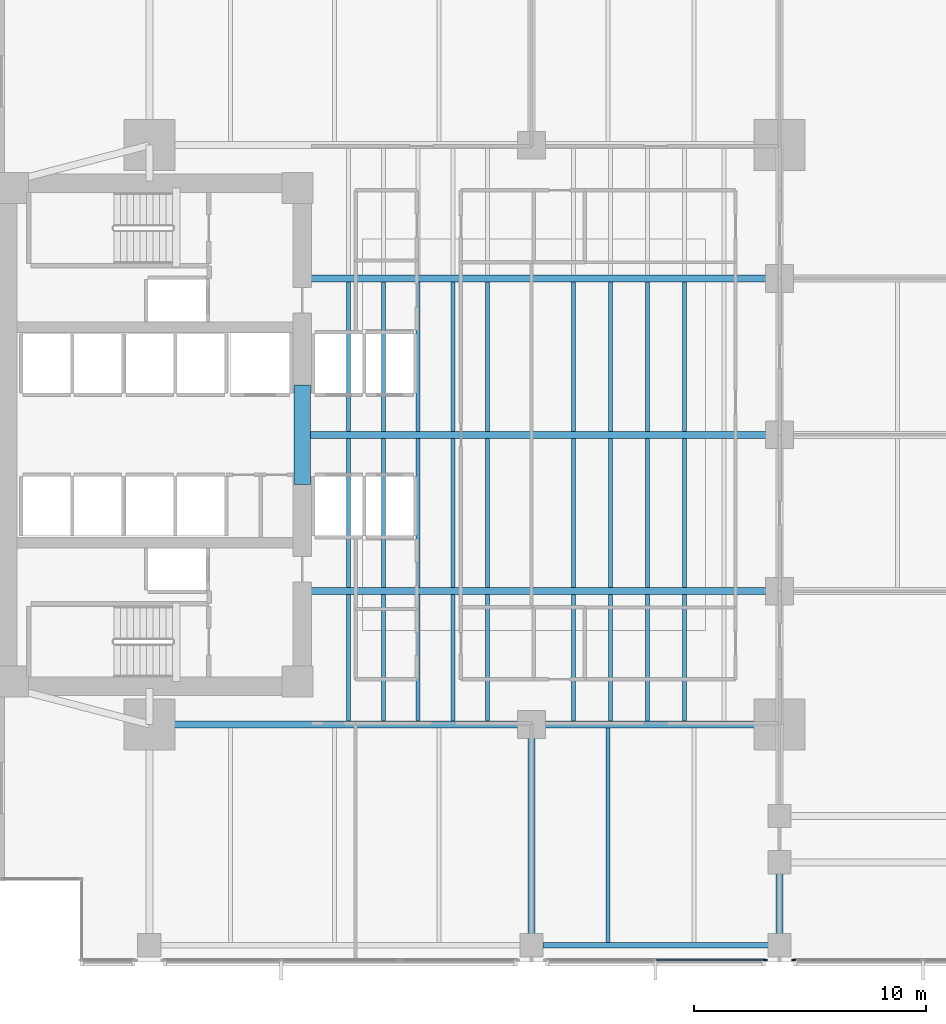
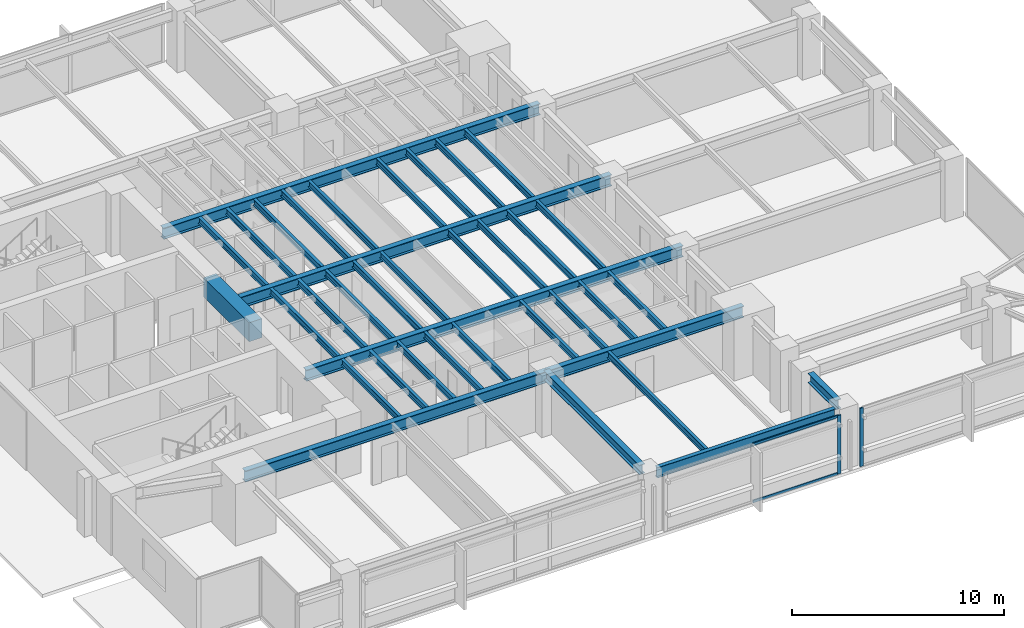
# One storey, part 3 of 16: 37 beams, 4 members, 2 elements without a shape of their own.
"""IFC4 building model written with IfcOpenShell, lengths in metres."""

from ifc_helpers import new_model, si_unit, direction, frame, origin, origin_2d, place, context, subcontext, project, spatial, rectangle, i_section, extrude, material, layer, layer_set, material_profile, profile_set, type_object, element, aggregate, save


model = new_model("IFC4")

# Units and contexts
model_context = context("Model", 3, precision=1e-05, world=origin(), true_north=direction((0.0, 1.0)))
body_context = subcontext(model_context, "Body", "Model", "MODEL_VIEW")
ifc_project = project(units=[si_unit("LENGTHUNIT", "METRE"), si_unit("AREAUNIT", "SQUARE_METRE"), si_unit("VOLUMEUNIT", "CUBIC_METRE"), si_unit("PLANEANGLEUNIT", "RADIAN"), si_unit("MASSUNIT", "GRAM", prefix="KILO")], contexts=[model_context])

# Site, building, storey
site_placement = place(None, origin())
site = spatial("IfcSite", under=ifc_project, at=site_placement, CompositionType="ELEMENT")
building_placement = place(site_placement, origin())
building = spatial("IfcBuilding", under=site, at=building_placement, Name="Kinhvarn Gate Tower", CompositionType="ELEMENT")
storey_placement = place(building_placement, frame((0.0, 0.0, 25.60009765625)))
storey = spatial("IfcBuildingStorey", under=building, at=storey_placement, Name="L05", CompositionType="ELEMENT", Elevation=25.60009765625)

# Beam
ifc_material_1 = material(Name="Concrete C70/85", Category="concrete")
ifc_material_profile_1 = material_profile(ifc_material_1, rectangle(XDim=0.699951171875, YDim=1.10009765625, at=origin_2d()), Name="RC 700x1100")
ifc_profile_set_1 = profile_set([ifc_material_profile_1], Name="Concrete C70/85")
beam_type_1 = type_object("IfcBeamType", Name="BM-CB-1100", PredefinedType="LINTEL", material=ifc_profile_set_1)
beam_1_placement = place(storey_placement, frame((17.60009765625, 23.10009765625, 2.81982421875), z_axis=(0.0, 1.0, 0.0), x_axis=(-1.0, 0.0, 0.0)))
element("IfcBeam", 1, at=beam_1_placement, inside=storey, type_object=beam_type_1, Name="Core East Portal Coupling Beam L05", PredefinedType="LINTEL", context=body_context, shape_type="SweptSolid", body=[
    extrude(rectangle(XDim=0.699951171875, YDim=1.10009765625, at=origin_2d()), origin(), (0.0, 0.0, 1.0), 4.2998046875),
])

# Curtain wall, member
ifc_material_2 = material(Name="Anodised aluminium AW-6063", Category="aluminium")
ifc_layer = layer(ifc_material_2, 0.179931640625)
ifc_layer_set = layer_set([ifc_layer], Name="Anodised aluminium AW-6063")
curtain_wall_type = type_object("IfcCurtainWallType", Name="CW-SYS-2", PredefinedType="NOTDEFINED", material=ifc_layer_set)
curtain_wall_1_placement = place(storey_placement, origin())
curtain_wall_1 = element("IfcCurtainWall", 2, at=curtain_wall_1_placement, inside=storey, type_object=curtain_wall_type, Name="Curtain Wall CW2 (L05)", PredefinedType="NOTDEFINED")
ifc_material_profile_2 = material_profile(ifc_material_2, rectangle(XDim=0.070068359375, YDim=0.179931640625, at=origin_2d()), Name="ALU 70x180")
ifc_profile_set_2 = profile_set([ifc_material_profile_2], Name="Anodised aluminium AW-6063")
member_type_1 = type_object("IfcMemberType", Name="CW-MUL-180", PredefinedType="MULLION", material=ifc_profile_set_2)
member_1_placement = place(storey_placement, frame((37.5849609375, 2.590087890625, 0.0), z_axis=(0.0, 0.0, 1.0), x_axis=(0.0, 1.0, 0.0)))
member_1 = element("IfcMember", 3, at=member_1_placement, type_object=member_type_1, Name="CW2 mullion 3", PredefinedType="MULLION", context=body_context, shape_type="SweptSolid", body=[
    extrude(rectangle(XDim=0.070068359375, YDim=0.179931640625, at=origin_2d()), origin(), (0.0, 0.0, 1.0), 3.369873046875),
])

curtain_wall_2_placement = place(storey_placement, origin())
curtain_wall_2 = element("IfcCurtainWall", 4, at=curtain_wall_2_placement, inside=storey, type_object=curtain_wall_type, Name="Curtain Wall CW2 (L05)", PredefinedType="NOTDEFINED")
member_2_placement = place(storey_placement, frame((38.81494140625, 2.590087890625, 0.0), z_axis=(0.0, 0.0, 1.0), x_axis=(0.0, 1.0, 0.0)))
member_2 = element("IfcMember", 5, at=member_2_placement, type_object=member_type_1, Name="CW2 mullion 1", PredefinedType="MULLION", context=body_context, shape_type="SweptSolid", body=[
    extrude(rectangle(XDim=0.070068359375, YDim=0.179931640625, at=origin_2d()), origin(), (0.0, 0.0, 1.0), 3.369873046875),
])
aggregate(curtain_wall_2, [member_2])

# Member
ifc_material_profile_3 = material_profile(ifc_material_2, rectangle(XDim=0.070068359375, YDim=0.139892578125, at=origin_2d()), Name="ALU 70x140")
ifc_profile_set_3 = profile_set([ifc_material_profile_3], Name="Anodised aluminium AW-6063")
member_type_2 = type_object("IfcMemberType", Name="CW-TRN-140", PredefinedType="USERDEFINED", material=ifc_profile_set_3)
member_3_placement = place(storey_placement, frame((32.885009765625, 2.590087890625, 0.034912109375), z_axis=(1.0, 0.0, 0.0), x_axis=(0.0, 1.0, 0.0)))
member_3 = element("IfcMember", 6, at=member_3_placement, type_object=member_type_2, Name="CW2 transom 2.1", ObjectType="TRANSOM", PredefinedType="USERDEFINED", context=body_context, shape_type="SweptSolid", body=[
    extrude(rectangle(XDim=0.070068359375, YDim=0.139892578125, at=origin_2d()), origin(), (0.0, 0.0, 1.0), 4.6650390625),
])

member_4_placement = place(storey_placement, frame((32.885009765625, 2.590087890625, 3.3349609375), z_axis=(1.0, 0.0, 0.0), x_axis=(0.0, 1.0, 0.0)))
member_4 = element("IfcMember", 7, at=member_4_placement, type_object=member_type_2, Name="CW2 transom 2.2", ObjectType="TRANSOM", PredefinedType="USERDEFINED", context=body_context, shape_type="SweptSolid", body=[
    extrude(rectangle(XDim=0.070068359375, YDim=0.139892578125, at=origin_2d()), origin(), (0.0, 0.0, 1.0), 4.6650390625),
])

aggregate(curtain_wall_1, [member_1, member_3, member_4])

# Beams
ifc_material_3 = material(Name="Steel S355", Category="steel")
ifc_material_profile_4 = material_profile(ifc_material_3, i_section(OverallWidth=0.300048828125, OverallDepth=0.550048828125, WebThickness=0.014892578125, FlangeThickness=0.029052734375, at=origin_2d()), Name="HEB 550")
ifc_profile_set_4 = profile_set([ifc_material_profile_4], Name="Steel S355")
beam_type_2 = type_object("IfcBeamType", Name="STL-HEB550", PredefinedType="BEAM", material=ifc_profile_set_4)
beam_2_placement = place(storey_placement, frame((27.5, 3.705078125, 3.094970703125), z_axis=(0.0, 1.0, 0.0), x_axis=(-1.0, 0.0, 0.0)))
element("IfcBeam", 8, at=beam_2_placement, inside=storey, type_object=beam_type_2, Name="Floor Beam PG-15 (L05 SP27-S-TIE)", PredefinedType="BEAM", context=body_context, shape_type="SweptSolid", body=[
    extrude(i_section(OverallWidth=0.300048828125, OverallDepth=0.550048828125, WebThickness=0.014892578125, FlangeThickness=0.029052734375, at=origin_2d()), origin(), (0.0, 0.0, 1.0), 9.044921875),
])
beam_3_placement = place(storey_placement, frame((38.199951171875, 3.705078125, 3.094970703125), z_axis=(0.0, 1.0, 0.0), x_axis=(-1.0, 0.0, 0.0)))
element("IfcBeam", 9, at=beam_3_placement, inside=storey, type_object=beam_type_2, Name="Floor Beam PG-15 (L05 MCE-S-A0)", PredefinedType="BEAM", context=body_context, shape_type="SweptSolid", body=[
    extrude(i_section(OverallWidth=0.300048828125, OverallDepth=0.550048828125, WebThickness=0.014892578125, FlangeThickness=0.029052734375, at=origin_2d()), origin(), (0.0, 0.0, 1.0), 2.60986328125),
])
ifc_material_profile_5 = material_profile(ifc_material_3, i_section(OverallWidth=0.300048828125, OverallDepth=0.64990234375, WebThickness=0.01611328125, FlangeThickness=0.031005859375, at=origin_2d()), Name="HEB 650")
ifc_profile_set_5 = profile_set([ifc_material_profile_5], Name="Steel S355")
beam_type_3 = type_object("IfcBeamType", Name="STL-HEB650", PredefinedType="BEAM", material=ifc_profile_set_5)
beam_4_placement = place(storey_placement, frame((11.0, 12.75, 3.044921875), z_axis=(1.0, 0.0, 0.0), x_axis=(0.0, 1.0, 0.0)))
element("IfcBeam", 10, at=beam_4_placement, inside=storey, type_object=beam_type_3, Name="Floor Beam PG-17 (L05 MG-S1)", PredefinedType="BEAM", context=body_context, shape_type="SweptSolid", body=[
    extrude(i_section(OverallWidth=0.300048828125, OverallDepth=0.64990234375, WebThickness=0.01611328125, FlangeThickness=0.031005859375, at=origin_2d()), origin(), (0.0, 0.0, 1.0), 16.5),
])
beam_5_placement = place(storey_placement, frame((27.5, 12.75, 3.044921875), z_axis=(1.0, 0.0, 0.0), x_axis=(0.0, 1.0, 0.0)))
element("IfcBeam", 11, at=beam_5_placement, inside=storey, type_object=beam_type_3, Name="Floor Beam PG-17 (L05 MG-S2)", PredefinedType="BEAM", context=body_context, shape_type="SweptSolid", body=[
    extrude(i_section(OverallWidth=0.300048828125, OverallDepth=0.64990234375, WebThickness=0.01611328125, FlangeThickness=0.031005859375, at=origin_2d()), origin(), (0.0, 0.0, 1.0), 10.699951171875),
])
beam_6_placement = place(storey_placement, frame((17.64990234375, 18.5, 3.044921875), z_axis=(1.0, 0.0, 0.0), x_axis=(0.0, 1.0, 0.0)))
element("IfcBeam", 12, at=beam_6_placement, inside=storey, type_object=beam_type_3, Name="Floor Beam PG-17 (L05 EW1-Y18)", PredefinedType="BEAM", context=body_context, shape_type="SweptSolid", body=[
    extrude(i_section(OverallWidth=0.300048828125, OverallDepth=0.64990234375, WebThickness=0.01611328125, FlangeThickness=0.031005859375, at=origin_2d()), origin(), (0.0, 0.0, 1.0), 20.550048828125),
])
beam_7_placement = place(storey_placement, frame((17.949951171875, 25.25, 3.044921875), z_axis=(1.0, 0.0, 0.0), x_axis=(0.0, 1.0, 0.0)))
element("IfcBeam", 13, at=beam_7_placement, inside=storey, type_object=beam_type_3, Name="Floor Beam PG-17 (L05 EW1-Y25)", PredefinedType="BEAM", context=body_context, shape_type="SweptSolid", body=[
    extrude(i_section(OverallWidth=0.300048828125, OverallDepth=0.64990234375, WebThickness=0.01611328125, FlangeThickness=0.031005859375, at=origin_2d()), origin(), (0.0, 0.0, 1.0), 20.25),
])
beam_8_placement = place(storey_placement, frame((17.64990234375, 32.0, 3.044921875), z_axis=(1.0, 0.0, 0.0), x_axis=(0.0, 1.0, 0.0)))
element("IfcBeam", 14, at=beam_8_placement, inside=storey, type_object=beam_type_3, Name="Floor Beam PG-17 (L05 EW1-Y32)", PredefinedType="BEAM", context=body_context, shape_type="SweptSolid", body=[
    extrude(i_section(OverallWidth=0.300048828125, OverallDepth=0.64990234375, WebThickness=0.01611328125, FlangeThickness=0.031005859375, at=origin_2d()), origin(), (0.0, 0.0, 1.0), 20.550048828125),
])
ifc_material_profile_6 = material_profile(ifc_material_3, i_section(OverallWidth=0.169921875, OverallDepth=0.360107421875, WebThickness=0.008056640625, FlangeThickness=0.0126953125, at=origin_2d()), Name="IPE 360")
ifc_profile_set_6 = profile_set([ifc_material_profile_6], Name="Steel S355")
beam_type_4 = type_object("IfcBeamType", Name="STL-IPE360", PredefinedType="JOIST", material=ifc_profile_set_6)
beam_9_placement = place(storey_placement, frame((19.60009765625, 12.89990234375, 3.18994140625), z_axis=(0.0, 1.0, 0.0), x_axis=(-1.0, 0.0, 0.0)))
element("IfcBeam", 15, at=beam_9_placement, inside=storey, type_object=beam_type_4, Name="Floor Joist SB-04 (L05 JC-X196-0)", PredefinedType="JOIST", context=body_context, shape_type="SweptSolid", body=[
    extrude(i_section(OverallWidth=0.169921875, OverallDepth=0.360107421875, WebThickness=0.008056640625, FlangeThickness=0.0126953125, at=origin_2d()), origin(), (0.0, 0.0, 1.0), 5.4501953125),
])
for number, where, z_axis, x_axis, name in (
    (16, (19.60009765625, 18.64990234375, 3.18994140625), (0.0, 1.0, 0.0), (-1.0, 0.0, 0.0), "Floor Joist SB-04 (L05 JC-X196-1)"),
    (17, (19.60009765625, 25.39990234375, 3.18994140625), (0.0, 1.0, 0.0), (-1.0, 0.0, 0.0), "Floor Joist SB-04 (L05 JC-X196-2)"),
):
    element("IfcBeam", number, at=place(storey_placement, frame(where, z_axis=z_axis, x_axis=x_axis)), inside=storey, type_object=beam_type_4, Name=name, PredefinedType="JOIST", context=body_context, shape_type="SweptSolid", body=[
        extrude(i_section(OverallWidth=0.169921875, OverallDepth=0.360107421875, WebThickness=0.008056640625, FlangeThickness=0.0126953125, at=origin_2d()), origin(), (0.0, 0.0, 1.0), 6.4501953125),
    ])
beam_10_placement = place(storey_placement, frame((21.10009765625, 12.89990234375, 3.18994140625), z_axis=(0.0, 1.0, 0.0), x_axis=(-1.0, 0.0, 0.0)))
element("IfcBeam", 18, at=beam_10_placement, inside=storey, type_object=beam_type_4, Name="Floor Joist SB-04 (L05 JC-X211-0)", PredefinedType="JOIST", context=body_context, shape_type="SweptSolid", body=[
    extrude(i_section(OverallWidth=0.169921875, OverallDepth=0.360107421875, WebThickness=0.008056640625, FlangeThickness=0.0126953125, at=origin_2d()), origin(), (0.0, 0.0, 1.0), 5.4501953125),
])
for number, where, z_axis, x_axis, name in (
    (19, (21.10009765625, 18.64990234375, 3.18994140625), (0.0, 1.0, 0.0), (-1.0, 0.0, 0.0), "Floor Joist SB-04 (L05 JC-X211-1)"),
    (20, (21.10009765625, 25.39990234375, 3.18994140625), (0.0, 1.0, 0.0), (-1.0, 0.0, 0.0), "Floor Joist SB-04 (L05 JC-X211-2)"),
):
    element("IfcBeam", number, at=place(storey_placement, frame(where, z_axis=z_axis, x_axis=x_axis)), inside=storey, type_object=beam_type_4, Name=name, PredefinedType="JOIST", context=body_context, shape_type="SweptSolid", body=[
        extrude(i_section(OverallWidth=0.169921875, OverallDepth=0.360107421875, WebThickness=0.008056640625, FlangeThickness=0.0126953125, at=origin_2d()), origin(), (0.0, 0.0, 1.0), 6.4501953125),
    ])
beam_11_placement = place(storey_placement, frame((22.60009765625, 12.89990234375, 3.18994140625), z_axis=(0.0, 1.0, 0.0), x_axis=(-1.0, 0.0, 0.0)))
element("IfcBeam", 21, at=beam_11_placement, inside=storey, type_object=beam_type_4, Name="Floor Joist SB-04 (L05 JC-X226-0)", PredefinedType="JOIST", context=body_context, shape_type="SweptSolid", body=[
    extrude(i_section(OverallWidth=0.169921875, OverallDepth=0.360107421875, WebThickness=0.008056640625, FlangeThickness=0.0126953125, at=origin_2d()), origin(), (0.0, 0.0, 1.0), 5.4501953125),
])
for number, where, z_axis, x_axis, name in (
    (22, (22.60009765625, 18.64990234375, 3.18994140625), (0.0, 1.0, 0.0), (-1.0, 0.0, 0.0), "Floor Joist SB-04 (L05 JC-X226-1)"),
    (23, (22.60009765625, 25.39990234375, 3.18994140625), (0.0, 1.0, 0.0), (-1.0, 0.0, 0.0), "Floor Joist SB-04 (L05 JC-X226-2)"),
):
    element("IfcBeam", number, at=place(storey_placement, frame(where, z_axis=z_axis, x_axis=x_axis)), inside=storey, type_object=beam_type_4, Name=name, PredefinedType="JOIST", context=body_context, shape_type="SweptSolid", body=[
        extrude(i_section(OverallWidth=0.169921875, OverallDepth=0.360107421875, WebThickness=0.008056640625, FlangeThickness=0.0126953125, at=origin_2d()), origin(), (0.0, 0.0, 1.0), 6.4501953125),
    ])
beam_12_placement = place(storey_placement, frame((24.10009765625, 12.89990234375, 3.18994140625), z_axis=(0.0, 1.0, 0.0), x_axis=(-1.0, 0.0, 0.0)))
element("IfcBeam", 24, at=beam_12_placement, inside=storey, type_object=beam_type_4, Name="Floor Joist SB-04 (L05 JC-X241-0)", PredefinedType="JOIST", context=body_context, shape_type="SweptSolid", body=[
    extrude(i_section(OverallWidth=0.169921875, OverallDepth=0.360107421875, WebThickness=0.008056640625, FlangeThickness=0.0126953125, at=origin_2d()), origin(), (0.0, 0.0, 1.0), 5.4501953125),
])
for number, where, z_axis, x_axis, name in (
    (25, (24.10009765625, 18.64990234375, 3.18994140625), (0.0, 1.0, 0.0), (-1.0, 0.0, 0.0), "Floor Joist SB-04 (L05 JC-X241-1)"),
    (26, (24.10009765625, 25.39990234375, 3.18994140625), (0.0, 1.0, 0.0), (-1.0, 0.0, 0.0), "Floor Joist SB-04 (L05 JC-X241-2)"),
):
    element("IfcBeam", number, at=place(storey_placement, frame(where, z_axis=z_axis, x_axis=x_axis)), inside=storey, type_object=beam_type_4, Name=name, PredefinedType="JOIST", context=body_context, shape_type="SweptSolid", body=[
        extrude(i_section(OverallWidth=0.169921875, OverallDepth=0.360107421875, WebThickness=0.008056640625, FlangeThickness=0.0126953125, at=origin_2d()), origin(), (0.0, 0.0, 1.0), 6.4501953125),
    ])
beam_13_placement = place(storey_placement, frame((25.60009765625, 12.89990234375, 3.18994140625), z_axis=(0.0, 1.0, 0.0), x_axis=(-1.0, 0.0, 0.0)))
element("IfcBeam", 27, at=beam_13_placement, inside=storey, type_object=beam_type_4, Name="Floor Joist SB-04 (L05 JC-X256-0)", PredefinedType="JOIST", context=body_context, shape_type="SweptSolid", body=[
    extrude(i_section(OverallWidth=0.169921875, OverallDepth=0.360107421875, WebThickness=0.008056640625, FlangeThickness=0.0126953125, at=origin_2d()), origin(), (0.0, 0.0, 1.0), 5.4501953125),
])
for number, where, z_axis, x_axis, name in (
    (28, (25.60009765625, 18.64990234375, 3.18994140625), (0.0, 1.0, 0.0), (-1.0, 0.0, 0.0), "Floor Joist SB-04 (L05 JC-X256-1)"),
    (29, (25.60009765625, 25.39990234375, 3.18994140625), (0.0, 1.0, 0.0), (-1.0, 0.0, 0.0), "Floor Joist SB-04 (L05 JC-X256-2)"),
):
    element("IfcBeam", number, at=place(storey_placement, frame(where, z_axis=z_axis, x_axis=x_axis)), inside=storey, type_object=beam_type_4, Name=name, PredefinedType="JOIST", context=body_context, shape_type="SweptSolid", body=[
        extrude(i_section(OverallWidth=0.169921875, OverallDepth=0.360107421875, WebThickness=0.008056640625, FlangeThickness=0.0126953125, at=origin_2d()), origin(), (0.0, 0.0, 1.0), 6.4501953125),
    ])
beam_14_placement = place(storey_placement, frame((29.300048828125, 12.89990234375, 3.18994140625), z_axis=(0.0, 1.0, 0.0), x_axis=(-1.0, 0.0, 0.0)))
element("IfcBeam", 30, at=beam_14_placement, inside=storey, type_object=beam_type_4, Name="Floor Joist SB-04 (L05 JC-X293-0)", PredefinedType="JOIST", context=body_context, shape_type="SweptSolid", body=[
    extrude(i_section(OverallWidth=0.169921875, OverallDepth=0.360107421875, WebThickness=0.008056640625, FlangeThickness=0.0126953125, at=origin_2d()), origin(), (0.0, 0.0, 1.0), 5.4501953125),
])
for number, where, z_axis, x_axis, name in (
    (31, (29.300048828125, 18.64990234375, 3.18994140625), (0.0, 1.0, 0.0), (-1.0, 0.0, 0.0), "Floor Joist SB-04 (L05 JC-X293-1)"),
    (32, (29.300048828125, 25.39990234375, 3.18994140625), (0.0, 1.0, 0.0), (-1.0, 0.0, 0.0), "Floor Joist SB-04 (L05 JC-X293-2)"),
):
    element("IfcBeam", number, at=place(storey_placement, frame(where, z_axis=z_axis, x_axis=x_axis)), inside=storey, type_object=beam_type_4, Name=name, PredefinedType="JOIST", context=body_context, shape_type="SweptSolid", body=[
        extrude(i_section(OverallWidth=0.169921875, OverallDepth=0.360107421875, WebThickness=0.008056640625, FlangeThickness=0.0126953125, at=origin_2d()), origin(), (0.0, 0.0, 1.0), 6.4501953125),
    ])
beam_15_placement = place(storey_placement, frame((30.89990234375, 12.89990234375, 3.18994140625), z_axis=(0.0, 1.0, 0.0), x_axis=(-1.0, 0.0, 0.0)))
element("IfcBeam", 33, at=beam_15_placement, inside=storey, type_object=beam_type_4, Name="Floor Joist SB-04 (L05 JC-X309-0)", PredefinedType="JOIST", context=body_context, shape_type="SweptSolid", body=[
    extrude(i_section(OverallWidth=0.169921875, OverallDepth=0.360107421875, WebThickness=0.008056640625, FlangeThickness=0.0126953125, at=origin_2d()), origin(), (0.0, 0.0, 1.0), 5.4501953125),
])
for number, where, z_axis, x_axis, name in (
    (34, (30.89990234375, 18.64990234375, 3.18994140625), (0.0, 1.0, 0.0), (-1.0, 0.0, 0.0), "Floor Joist SB-04 (L05 JC-X309-1)"),
    (35, (30.89990234375, 25.39990234375, 3.18994140625), (0.0, 1.0, 0.0), (-1.0, 0.0, 0.0), "Floor Joist SB-04 (L05 JC-X309-2)"),
):
    element("IfcBeam", number, at=place(storey_placement, frame(where, z_axis=z_axis, x_axis=x_axis)), inside=storey, type_object=beam_type_4, Name=name, PredefinedType="JOIST", context=body_context, shape_type="SweptSolid", body=[
        extrude(i_section(OverallWidth=0.169921875, OverallDepth=0.360107421875, WebThickness=0.008056640625, FlangeThickness=0.0126953125, at=origin_2d()), origin(), (0.0, 0.0, 1.0), 6.4501953125),
    ])
beam_16_placement = place(storey_placement, frame((32.5, 12.89990234375, 3.18994140625), z_axis=(0.0, 1.0, 0.0), x_axis=(-1.0, 0.0, 0.0)))
element("IfcBeam", 36, at=beam_16_placement, inside=storey, type_object=beam_type_4, Name="Floor Joist SB-04 (L05 JC-X325-0)", PredefinedType="JOIST", context=body_context, shape_type="SweptSolid", body=[
    extrude(i_section(OverallWidth=0.169921875, OverallDepth=0.360107421875, WebThickness=0.008056640625, FlangeThickness=0.0126953125, at=origin_2d()), origin(), (0.0, 0.0, 1.0), 5.4501953125),
])
for number, where, z_axis, x_axis, name in (
    (37, (32.5, 18.64990234375, 3.18994140625), (0.0, 1.0, 0.0), (-1.0, 0.0, 0.0), "Floor Joist SB-04 (L05 JC-X325-1)"),
    (38, (32.5, 25.39990234375, 3.18994140625), (0.0, 1.0, 0.0), (-1.0, 0.0, 0.0), "Floor Joist SB-04 (L05 JC-X325-2)"),
):
    element("IfcBeam", number, at=place(storey_placement, frame(where, z_axis=z_axis, x_axis=x_axis)), inside=storey, type_object=beam_type_4, Name=name, PredefinedType="JOIST", context=body_context, shape_type="SweptSolid", body=[
        extrude(i_section(OverallWidth=0.169921875, OverallDepth=0.360107421875, WebThickness=0.008056640625, FlangeThickness=0.0126953125, at=origin_2d()), origin(), (0.0, 0.0, 1.0), 6.4501953125),
    ])
beam_17_placement = place(storey_placement, frame((34.10009765625, 12.89990234375, 3.18994140625), z_axis=(0.0, 1.0, 0.0), x_axis=(-1.0, 0.0, 0.0)))
element("IfcBeam", 39, at=beam_17_placement, inside=storey, type_object=beam_type_4, Name="Floor Joist SB-04 (L05 JC-X341-0)", PredefinedType="JOIST", context=body_context, shape_type="SweptSolid", body=[
    extrude(i_section(OverallWidth=0.169921875, OverallDepth=0.360107421875, WebThickness=0.008056640625, FlangeThickness=0.0126953125, at=origin_2d()), origin(), (0.0, 0.0, 1.0), 5.4501953125),
])
for number, where, z_axis, x_axis, name in (
    (40, (34.10009765625, 18.64990234375, 3.18994140625), (0.0, 1.0, 0.0), (-1.0, 0.0, 0.0), "Floor Joist SB-04 (L05 JC-X341-1)"),
    (41, (34.10009765625, 25.39990234375, 3.18994140625), (0.0, 1.0, 0.0), (-1.0, 0.0, 0.0), "Floor Joist SB-04 (L05 JC-X341-2)"),
):
    element("IfcBeam", number, at=place(storey_placement, frame(where, z_axis=z_axis, x_axis=x_axis)), inside=storey, type_object=beam_type_4, Name=name, PredefinedType="JOIST", context=body_context, shape_type="SweptSolid", body=[
        extrude(i_section(OverallWidth=0.169921875, OverallDepth=0.360107421875, WebThickness=0.008056640625, FlangeThickness=0.0126953125, at=origin_2d()), origin(), (0.0, 0.0, 1.0), 6.4501953125),
    ])
beam_18_placement = place(storey_placement, frame((30.800048828125, 3.330078125, 3.18994140625), z_axis=(0.0, 1.0, 0.0), x_axis=(-1.0, 0.0, 0.0)))
element("IfcBeam", 42, at=beam_18_placement, inside=storey, type_object=beam_type_4, Name="Floor Joist SB-04 (L05 JS-X308)", PredefinedType="JOIST", context=body_context, shape_type="SweptSolid", body=[
    extrude(i_section(OverallWidth=0.169921875, OverallDepth=0.360107421875, WebThickness=0.008056640625, FlangeThickness=0.0126953125, at=origin_2d()), origin(), (0.0, 0.0, 1.0), 9.27001953125),
])
ifc_material_profile_7 = material_profile(ifc_material_3, i_section(OverallWidth=0.219970703125, OverallDepth=0.60009765625, WebThickness=0.011962890625, FlangeThickness=0.01904296875, at=origin_2d()), Name="IPE 600")
ifc_profile_set_7 = profile_set([ifc_material_profile_7], Name="Steel S355")
beam_type_5 = type_object("IfcBeamType", Name="STL-IPE600", PredefinedType="SPANDREL", material=ifc_profile_set_7)
beam_19_placement = place(storey_placement, frame((27.985107421875, 3.219970703125, 3.06982421875), z_axis=(1.0, 0.0, 0.0), x_axis=(0.0, 1.0, 0.0)))
element("IfcBeam", 43, at=beam_19_placement, inside=storey, type_object=beam_type_5, Name="Floor Spandrel SB-09 (L05 SP-S2)", PredefinedType="SPANDREL", context=body_context, shape_type="SweptSolid", body=[
    extrude(i_section(OverallWidth=0.219970703125, OverallDepth=0.60009765625, WebThickness=0.011962890625, FlangeThickness=0.01904296875, at=origin_2d()), origin(), (0.0, 0.0, 1.0), 9.72998046875),
])

save(model, "model.ifc")
